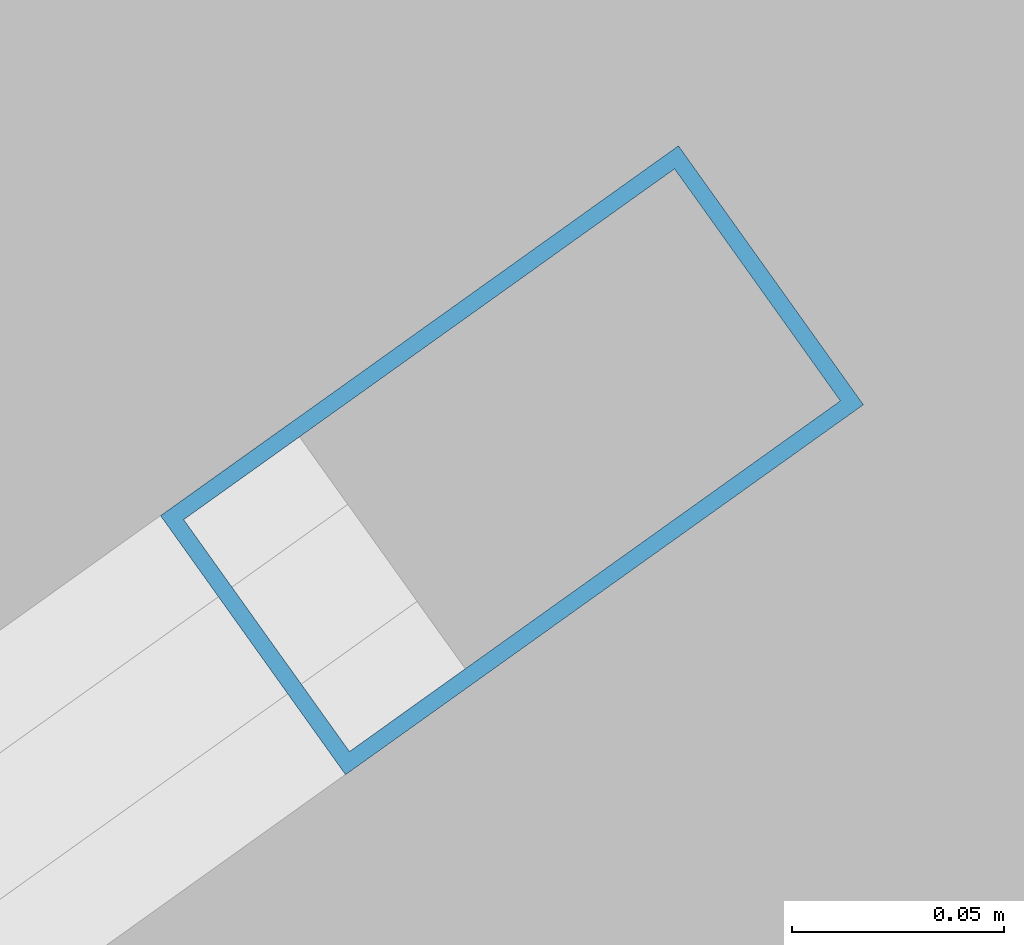
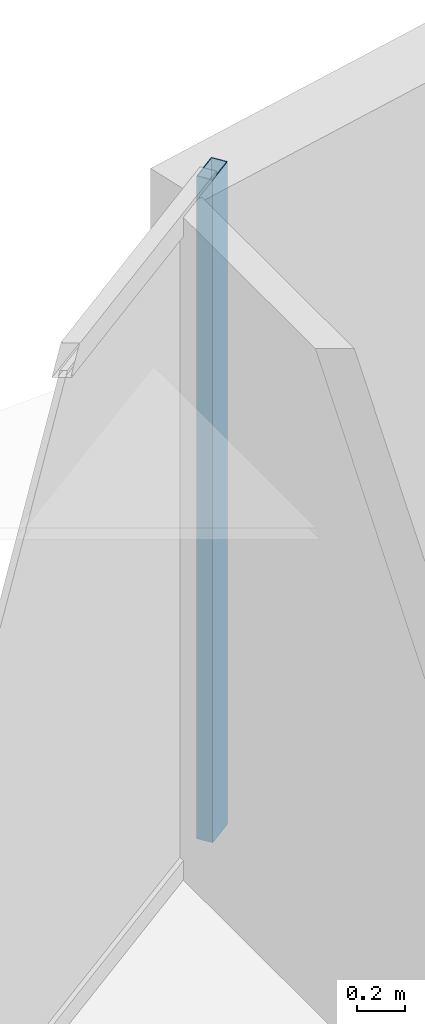
# One storey, part 19 of 33: 1 member, 1 element without a shape of its own.
"""IFC4 building model written with IfcOpenShell, lengths in metres."""

from ifc_helpers import new_model, si_unit, direction, frame, origin, origin_2d, place, context, subcontext, project, spatial, hollow_rectangle, extrude, material, layer, layer_set, material_profile, profile_set, type_object, element, aggregate, save


model = new_model("IFC4")

# Units and contexts
model_context = context("Model", 3, precision=1e-05, world=origin(), true_north=direction((0.0, 1.0)))
body_context = subcontext(model_context, "Body", "Model", "MODEL_VIEW")
ifc_project = project(units=[si_unit("LENGTHUNIT", "METRE"), si_unit("AREAUNIT", "SQUARE_METRE"), si_unit("VOLUMEUNIT", "CUBIC_METRE"), si_unit("PLANEANGLEUNIT", "RADIAN"), si_unit("MASSUNIT", "GRAM", prefix="KILO")], contexts=[model_context])

# Site, building, storey
site_placement = place(None, origin())
site = spatial("IfcSite", under=ifc_project, at=site_placement, CompositionType="ELEMENT")
building_placement = place(site_placement, origin())
building = spatial("IfcBuilding", under=site, at=building_placement, Name="Kazevale Care Tower and Concert Hall", CompositionType="ELEMENT")
storey_placement = place(building_placement, frame((0.0, 0.0, 145.800048828125)))
storey = spatial("IfcBuildingStorey", under=building, at=storey_placement, Name="L38", CompositionType="ELEMENT", Elevation=145.800048828125)

# Curtain wall, member
ifc_material_1 = material(Name="Aluminium 6063-T6 and Low-E Glass", Category="aluminium")
ifc_layer = layer(ifc_material_1, 0.179931640625)
ifc_layer_set = layer_set([ifc_layer], Name="Aluminium 6063-T6 and Low-E Glass")
curtain_wall_type = type_object("IfcCurtainWallType", Name="Convex Recessed Sunroom Curtain Wall CW-3", PredefinedType="NOTDEFINED", material=ifc_layer_set)
curtain_wall_placement = place(storey_placement, origin())
curtain_wall = element("IfcCurtainWall", 1, at=curtain_wall_placement, inside=storey, type_object=curtain_wall_type, Name="cw:L38:f14", PredefinedType="NOTDEFINED")
ifc_material_2 = material(Name="Aluminium 6063-T6", Category="aluminium")
ifc_material_profile = material_profile(ifc_material_2, hollow_rectangle(XDim=0.074951171875, YDim=0.14990234375, WallThickness=0.00390625, at=origin_2d()), Name="ALU75x150x4")
ifc_profile_set = profile_set([ifc_material_profile], Name="Aluminium 6063-T6")
member_type = type_object("IfcMemberType", Name="CW-3 Mullion ALU75x150x4", PredefinedType="MULLION", material=ifc_profile_set)
member_placement = place(storey_placement, frame((26.70947265625, 60.662109375, 0.0), z_axis=(0.0, 0.0, 1.0), x_axis=(-0.58132396176, 0.813672201494, 0.0)))
member = element("IfcMember", 2, at=member_placement, type_object=member_type, Name="CW-3 mullion 2", PredefinedType="MULLION", context=body_context, shape_type="SweptSolid", body=[
    extrude(hollow_rectangle(XDim=0.074951171875, YDim=0.14990234375, WallThickness=0.00390625, at=origin_2d()), origin(), (0.0, 0.0, 1.0), 3.35986328125),
])
aggregate(curtain_wall, [member])

save(model, "model.ifc")
